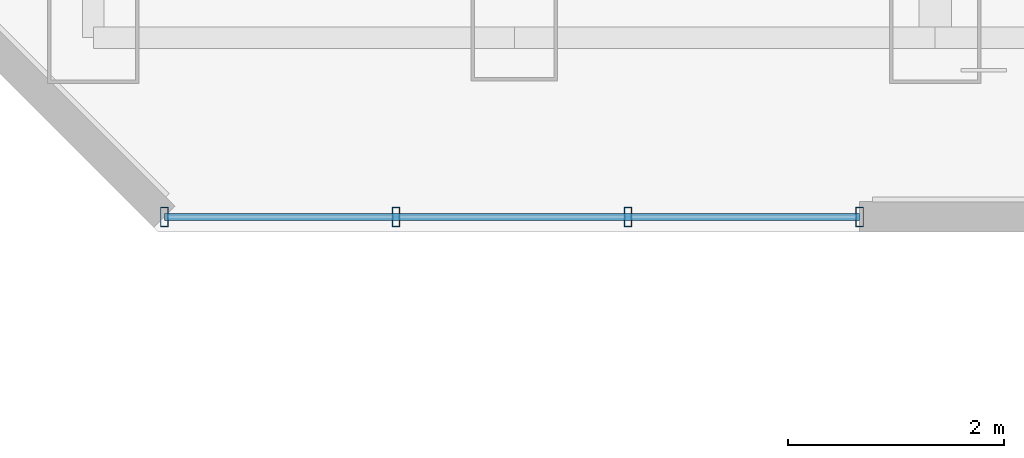
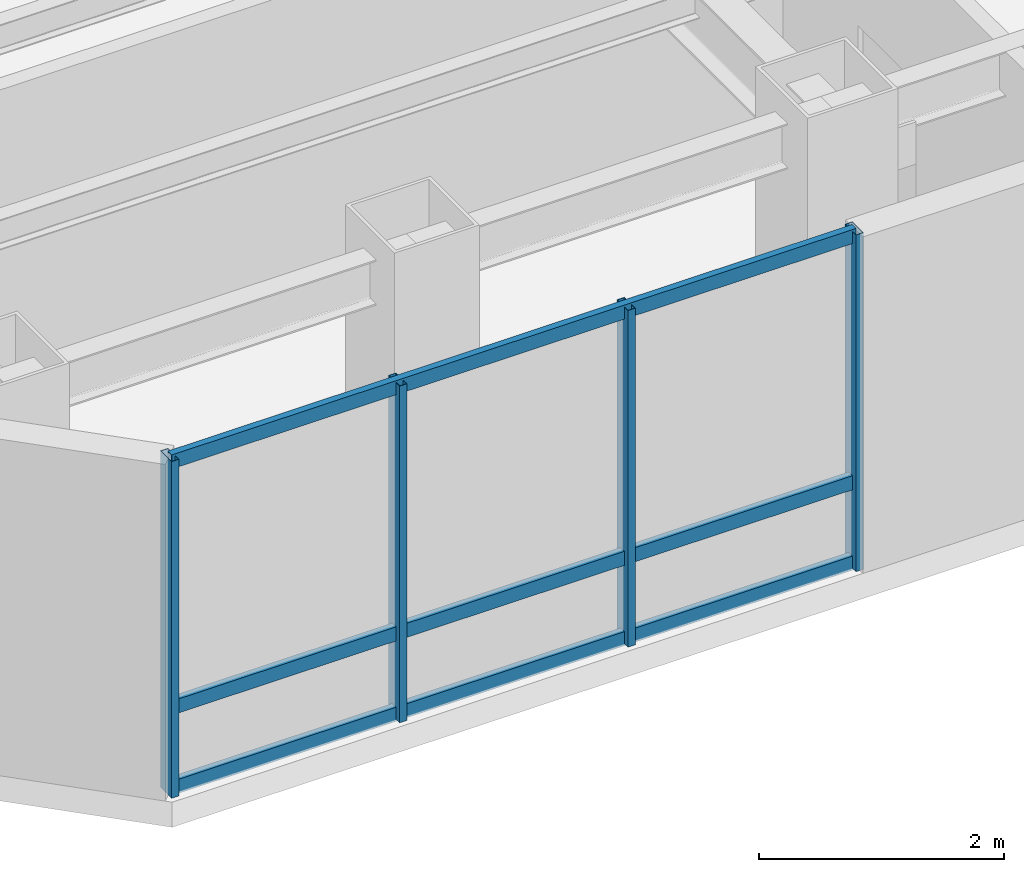
# One storey, part 2 of 27: 7 members, 1 element without a shape of its own.
"""IFC4 building model written with IfcOpenShell, lengths in metres."""

from ifc_helpers import new_model, si_unit, direction, frame, origin, origin_2d, place, context, subcontext, project, spatial, hollow_rectangle, extrude, material, layer, layer_set, material_profile, profile_set, type_object, element, aggregate, save


model = new_model("IFC4")

# Units and contexts
model_context = context("Model", 3, precision=1e-05, world=origin(), true_north=direction((0.0, 1.0)))
body_context = subcontext(model_context, "Body", "Model", "MODEL_VIEW")
ifc_project = project(units=[si_unit("LENGTHUNIT", "METRE"), si_unit("AREAUNIT", "SQUARE_METRE"), si_unit("VOLUMEUNIT", "CUBIC_METRE"), si_unit("PLANEANGLEUNIT", "RADIAN"), si_unit("MASSUNIT", "GRAM", prefix="KILO")], contexts=[model_context])

# Site, building, storey
site_placement = place(None, origin())
site = spatial("IfcSite", under=ifc_project, at=site_placement, CompositionType="ELEMENT")
building_placement = place(site_placement, origin())
building = spatial("IfcBuilding", under=site, at=building_placement, Name="Hatsunagi Terrace Concourse", CompositionType="ELEMENT")
storey_placement = place(building_placement, frame((0.0, 0.0, 142.050048828125)))
storey = spatial("IfcBuildingStorey", under=building, at=storey_placement, Name="L37", CompositionType="ELEMENT", Elevation=142.050048828125)

# Curtain wall, members
ifc_material_1 = material(Name="Anodised Aluminium Alloy 6063-T5", Category="aluminium")
ifc_layer = layer(ifc_material_1, 0.199951171875)
ifc_layer_set = layer_set([ifc_layer], Name="OfficeZone1_CW03")
curtain_wall_type = type_object("IfcCurtainWallType", Name="OfficeZone1_CW03", PredefinedType="NOTDEFINED", material=ifc_layer_set)
curtain_wall_placement = place(storey_placement, origin())
curtain_wall = element("IfcCurtainWall", 1, at=curtain_wall_placement, inside=storey, type_object=curtain_wall_type, Name="Unitised Curtain Wall CW-03 CW-L37-07", PredefinedType="NOTDEFINED")
ifc_material_2 = material(Name="Anodised Aluminium Alloy 6063-T5", Category="aluminium")
ifc_material_profile_1 = material_profile(ifc_material_2, hollow_rectangle(XDim=0.070068359375, YDim=0.179931640625, WallThickness=0.00390625, at=origin_2d()), Name="ALU-MUL-180x70x4")
ifc_profile_set_1 = profile_set([ifc_material_profile_1], Name="Anodised Aluminium Alloy 6063-T5")
member_type_1 = type_object("IfcMemberType", Name="CurtainWallMullion_180x70", PredefinedType="MULLION", material=ifc_profile_set_1)
member_1_placement = place(storey_placement, frame((18.5, 23.5400390625, 0.0), z_axis=(0.0, 0.0, 1.0), x_axis=(-1.0, 0.0, 0.0)))
member_1 = element("IfcMember", 2, at=member_1_placement, type_object=member_type_1, Name="Curtain Wall Mullion MUL-02", PredefinedType="MULLION", context=body_context, shape_type="SweptSolid", body=[
    extrude(hollow_rectangle(XDim=0.070068359375, YDim=0.179931640625, WallThickness=0.00390625, at=origin_2d()), origin(), (0.0, 0.0, 1.0), 3.349853515625),
])
member_2_placement = place(storey_placement, frame((16.35302734375, 23.5400390625, 0.0), z_axis=(0.0, 0.0, 1.0), x_axis=(-1.0, 0.0, 0.0)))
member_2 = element("IfcMember", 3, at=member_2_placement, type_object=member_type_1, Name="Curtain Wall Mullion MUL-02", PredefinedType="MULLION", context=body_context, shape_type="SweptSolid", body=[
    extrude(hollow_rectangle(XDim=0.070068359375, YDim=0.179931640625, WallThickness=0.00390625, at=origin_2d()), origin(), (0.0, 0.0, 1.0), 3.349853515625),
])
member_3_placement = place(storey_placement, frame((14.205078125, 23.5400390625, 0.0), z_axis=(0.0, 0.0, 1.0), x_axis=(-1.0, 0.0, 0.0)))
member_3 = element("IfcMember", 4, at=member_3_placement, type_object=member_type_1, Name="Curtain Wall Mullion MUL-02", PredefinedType="MULLION", context=body_context, shape_type="SweptSolid", body=[
    extrude(hollow_rectangle(XDim=0.070068359375, YDim=0.179931640625, WallThickness=0.00390625, at=origin_2d()), origin(), (0.0, 0.0, 1.0), 3.349853515625),
])
member_4_placement = place(storey_placement, frame((12.05810546875, 23.5400390625, 0.0), z_axis=(0.0, 0.0, 1.0), x_axis=(-1.0, 0.0, 0.0)))
member_4 = element("IfcMember", 5, at=member_4_placement, type_object=member_type_1, Name="Curtain Wall Mullion MUL-02", PredefinedType="MULLION", context=body_context, shape_type="SweptSolid", body=[
    extrude(hollow_rectangle(XDim=0.070068359375, YDim=0.179931640625, WallThickness=0.00390625, at=origin_2d()), origin(), (0.0, 0.0, 1.0), 3.349853515625),
])
ifc_material_3 = material(Name="Anodised Aluminium Alloy 6063-T5", Category="aluminium")
ifc_material_profile_2 = material_profile(ifc_material_3, hollow_rectangle(XDim=0.06494140625, YDim=0.139892578125, WallThickness=0.00390625, at=origin_2d()), Name="ALU-TRN-140x65x4")
ifc_profile_set_2 = profile_set([ifc_material_profile_2], Name="Anodised Aluminium Alloy 6063-T5")
member_type_2 = type_object("IfcMemberType", Name="CurtainWallTransom_140x65", PredefinedType="USERDEFINED", material=ifc_profile_set_2)
member_5_placement = place(storey_placement, frame((18.5, 23.5400390625, 0.050048828125), z_axis=(-1.0, 0.0, 0.0), x_axis=(0.0, -1.0, 0.0)))
member_5 = element("IfcMember", 6, at=member_5_placement, type_object=member_type_2, Name="Curtain Wall Transom TRN-02", ObjectType="TRANSOM", PredefinedType="USERDEFINED", context=body_context, shape_type="SweptSolid", body=[
    extrude(hollow_rectangle(XDim=0.06494140625, YDim=0.139892578125, WallThickness=0.00390625, at=origin_2d()), origin(), (0.0, 0.0, 1.0), 6.44189453125),
])
member_6_placement = place(storey_placement, frame((18.5, 23.5400390625, 0.849853515625), z_axis=(-1.0, 0.0, 0.0), x_axis=(0.0, -1.0, 0.0)))
member_6 = element("IfcMember", 7, at=member_6_placement, type_object=member_type_2, Name="Curtain Wall Transom TRN-02", ObjectType="TRANSOM", PredefinedType="USERDEFINED", context=body_context, shape_type="SweptSolid", body=[
    extrude(hollow_rectangle(XDim=0.06494140625, YDim=0.139892578125, WallThickness=0.00390625, at=origin_2d()), origin(), (0.0, 0.0, 1.0), 6.44189453125),
])
member_7_placement = place(storey_placement, frame((18.5, 23.5400390625, 3.300048828125), z_axis=(-1.0, 0.0, 0.0), x_axis=(0.0, -1.0, 0.0)))
member_7 = element("IfcMember", 8, at=member_7_placement, type_object=member_type_2, Name="Curtain Wall Transom TRN-02", ObjectType="TRANSOM", PredefinedType="USERDEFINED", context=body_context, shape_type="SweptSolid", body=[
    extrude(hollow_rectangle(XDim=0.06494140625, YDim=0.139892578125, WallThickness=0.00390625, at=origin_2d()), origin(), (0.0, 0.0, 1.0), 6.44189453125),
])
aggregate(curtain_wall, [member_1, member_2, member_3, member_4, member_5, member_6, member_7])

save(model, "model.ifc")
